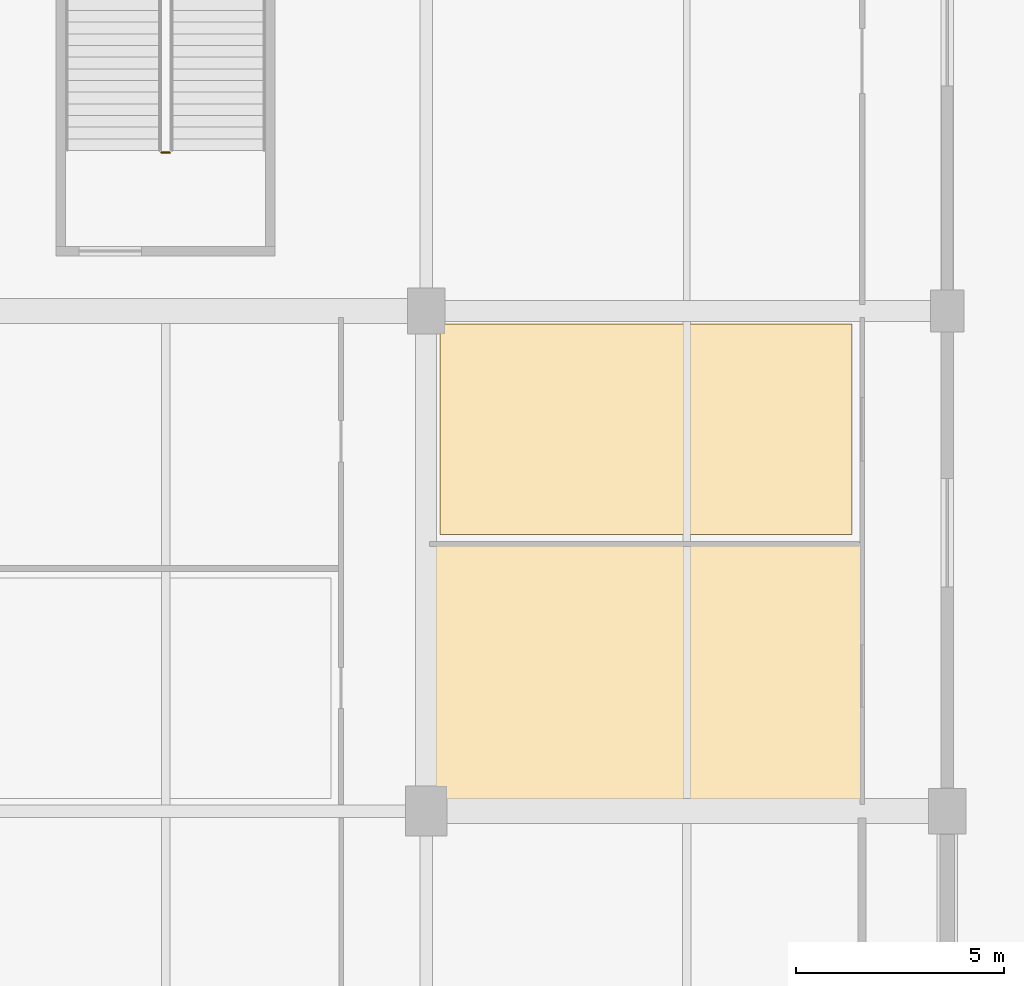
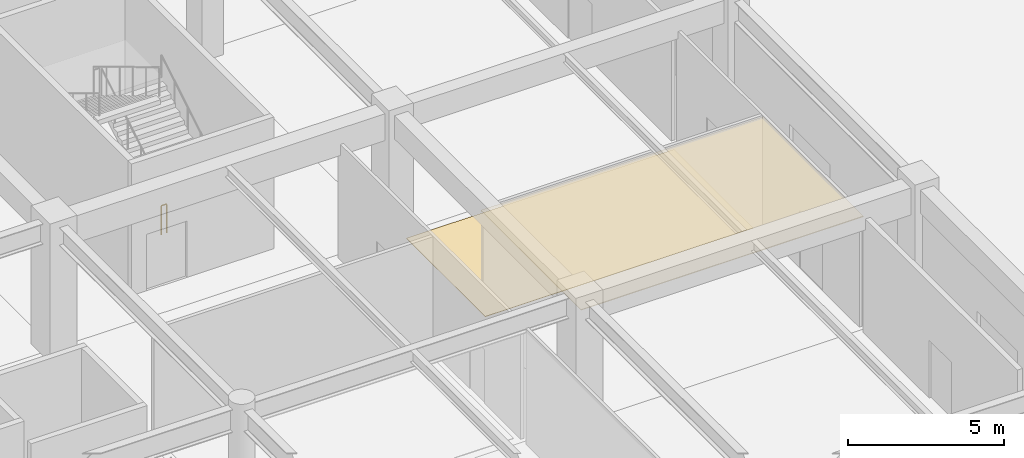
# One storey, part 49 of 69: 2 coverings, 1 railing.
"""IFC4 building model written with IfcOpenShell, lengths in metres."""

from ifc_helpers import new_model, si_unit, direction, frame, origin, origin_2d, place, context, subcontext, project, spatial, polyline, circle, outline, extrude, material, layer, layer_set, type_object, element, save


model = new_model("IFC4")

# Units and contexts
model_context = context("Model", 3, precision=1e-05, world=origin(), true_north=direction((0.0, 1.0)))
body_context = subcontext(model_context, "Body", "Model", "MODEL_VIEW")
ifc_project = project(units=[si_unit("LENGTHUNIT", "METRE"), si_unit("AREAUNIT", "SQUARE_METRE"), si_unit("VOLUMEUNIT", "CUBIC_METRE"), si_unit("PLANEANGLEUNIT", "RADIAN"), si_unit("MASSUNIT", "GRAM", prefix="KILO")], contexts=[model_context])

# Site, building, storey
site_placement = place(None, origin())
site = spatial("IfcSite", under=ifc_project, at=site_placement, CompositionType="ELEMENT")
building_placement = place(site_placement, origin())
building = spatial("IfcBuilding", under=site, at=building_placement, Name="Kazenohara Klinker Stadium", CompositionType="ELEMENT")
storey_placement = place(building_placement, origin())
storey = spatial("IfcBuildingStorey", under=building, at=storey_placement, Name="L00", CompositionType="ELEMENT", Elevation=0.0)

# Coverings
ifc_material_1 = material(Name="Perforated acoustic mineral-fibre ceiling tile", Category="gypsum")
ifc_layer_1 = layer(ifc_material_1, 0.030029296875)
ifc_layer_set_1 = layer_set([ifc_layer_1], Name="Perforated acoustic mineral-fibre ceiling tile")
covering_type_1 = type_object("IfcCoveringType", Name="COV-CEIL-01", PredefinedType="CEILING", material=ifc_layer_set_1)
covering_1_placement = place(storey_placement, frame((0.0, 0.0, 4.35009765625)))
element("IfcCovering", 1, at=covering_1_placement, inside=storey, type_object=covering_type_1, Name="Suspended acoustic ceiling CL01 Supporter Merchandising Retail Shop L00-0309A", PredefinedType="CEILING", context=body_context, shape_type="SweptSolid", body=[
    extrude(outline(polyline([(36.56005859375, 108.0400390625), (46.989990234375, 108.0400390625), (46.989990234375, 114.44873046875), (36.56005859375, 114.44873046875), (36.56005859375, 108.0400390625)])), origin(), (0.0, 0.0, 1.0), 0.02978515625),
])
ifc_material_2 = material(Name="Cushioned EPDM sports rubber flooring", Category="rubber")
ifc_layer_2 = layer(ifc_material_2, 0.014892578125)
ifc_layer_set_2 = layer_set([ifc_layer_2], Name="Cushioned EPDM sports rubber flooring")
covering_type_2 = type_object("IfcCoveringType", Name="COV-FLR-02", PredefinedType="FLOORING", material=ifc_layer_set_2)
covering_2_placement = place(storey_placement, origin())
element("IfcCovering", 2, at=covering_2_placement, inside=storey, type_object=covering_type_2, Name="Interior floor finish FL02 Concourse Craft Beverage Tavern L00-0309B", PredefinedType="FLOORING", context=body_context, shape_type="SweptSolid", body=[
    extrude(outline(polyline([(36.830078125, 114.638916015625), (46.719970703125, 114.638916015625), (46.719970703125, 119.68994140625), (36.830078125, 119.68994140625), (36.830078125, 114.638916015625)])), origin(), (0.0, 0.0, 1.0), 0.014892578125),
])

# Railing
ifc_material_3 = material(Name="Painted steel stairwell guardrail", Category="steel")
ifc_layer_3 = layer(ifc_material_3, 0.06005859375)
ifc_layer_set_3 = layer_set([ifc_layer_3], Name="Painted steel stairwell guardrail")
railing_type = type_object("IfcRailingType", Name="RL-STG-1120", PredefinedType="GUARDRAIL", material=ifc_layer_set_3)
railing_placement = place(storey_placement, frame((30.35009765625, 123.800048828125, 0.0)))
element("IfcRailing", 3, at=railing_placement, inside=storey, type_object=railing_type, Name="L00 ST18 stair guard 4", PredefinedType="GUARDRAIL", context=body_context, shape_type="SweptSolid", body=[
    extrude(circle(Radius=0.02392578125, at=origin_2d()), frame((0.0, 0.0, 1.1259765625), z_axis=(-1.0, 0.0, 0.0), x_axis=(0.0, -1.0, 0.0)), (0.0, 0.0, 1.0), 0.2001953125),
    extrude(circle(Radius=0.02099609375, at=origin_2d()), origin(), (0.0, 0.0, 1.0), 1.101806640625),
    extrude(circle(Radius=0.02099609375, at=origin_2d()), frame((-0.2001953125, 0.0, 0.0)), (0.0, 0.0, 1.0), 1.101806640625),
])

save(model, "model.ifc")
